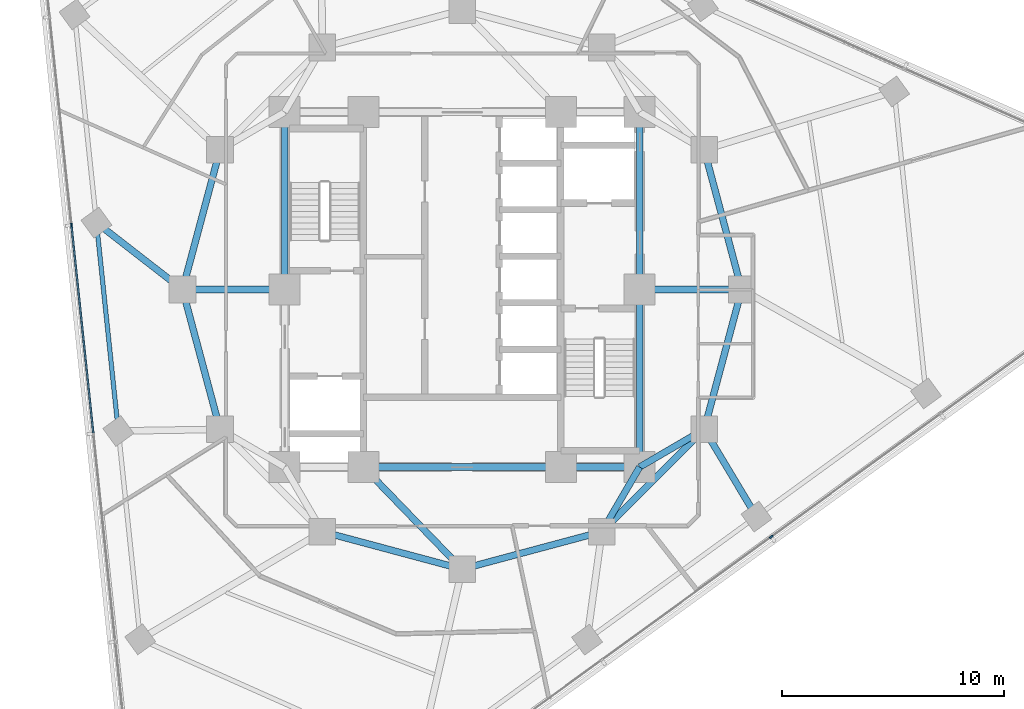
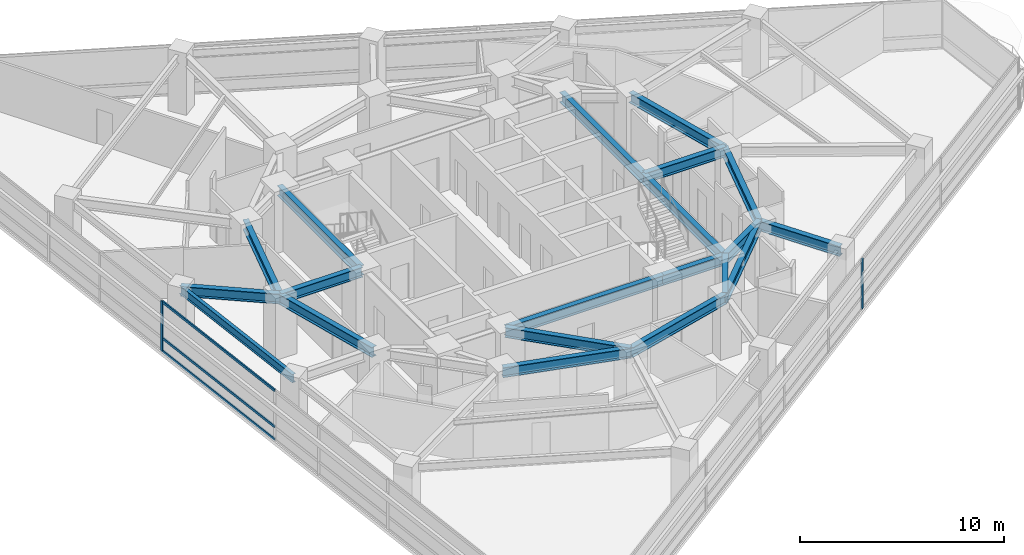
# One storey, part 3 of 14: 20 beams, 5 members, 2 elements without a shape of their own.
"""IFC4 building model written with IfcOpenShell, lengths in metres."""

import ifcopenshell
import ifcopenshell.guid

model = None  # the IFC model being written
_history = None  # IfcOwnerHistory: only IFC2X3 demands one
_inside = {}  # id of a spatial element -> (the spatial element, [elements in it])
_under = {}  # id of a project, library or spatial element -> (it, [spatial elements below it])
_declared = {}  # id of a project -> (the project, [libraries it declares])
_typed = {}  # id of a type object -> (the type object, [elements of that type])
_made_of = {}  # id of a material, layer set ... -> (it, [elements and type objects made of it])


def new_model(schema):
    """Start an empty IFC model of exactly this schema.

    Asked for "IFC4X3", IfcOpenShell would pick the latest addendum, in which some entities
    have other attributes; the version numbers below select the first issue.
    IFC2X3 requires an IfcOwnerHistory on every rooted entity: one is made here for all.
    """
    global model, _history
    if schema == "IFC4X3":
        model = ifcopenshell.file(schema_version=(4, 3, 0, 0))
    else:
        model = ifcopenshell.file(schema=schema)
    _inside.clear()
    _under.clear()
    _declared.clear()
    _typed.clear()
    _made_of.clear()
    _history = None
    if model.schema == "IFC2X3":
        org = make("IfcOrganization", Name="unknown")
        user = make(
            "IfcPersonAndOrganization",
            ThePerson=make("IfcPerson", FamilyName="unknown"),
            TheOrganization=org,
        )
        app = make(
            "IfcApplication",
            ApplicationDeveloper=org,
            Version="unknown",
            ApplicationFullName="unknown",
            ApplicationIdentifier="unknown",
        )
        _history = make(
            "IfcOwnerHistory",
            OwningUser=user,
            OwningApplication=app,
            ChangeAction="ADDED",
            CreationDate=0,
        )
    return model


def make(cls, **values):
    """One entity of the class cls with the attributes given. An attribute that is None is left unset."""
    return model.create_entity(
        cls, **{name: value for name, value in values.items() if value is not None}
    )


def rooted(cls, **values):
    """An entity with a GlobalId (a new one), such as an element, a storey or a relation."""
    return make(cls, GlobalId=ifcopenshell.guid.new(), OwnerHistory=_history, **values)


def si_unit(unit_type, name, prefix=None):
    """IfcSIUnit, for example si_unit("LENGTHUNIT", "METRE", prefix="MILLI")."""
    return make("IfcSIUnit", UnitType=unit_type, Prefix=prefix, Name=name)


def assignment(units):
    """IfcUnitAssignment: the units of a project."""
    return None if units is None else make("IfcUnitAssignment", Units=units)


def point(xyz):
    """IfcCartesianPoint."""
    return None if xyz is None else make("IfcCartesianPoint", Coordinates=xyz)


def direction(xyz):
    """IfcDirection."""
    return None if xyz is None else make("IfcDirection", DirectionRatios=xyz)


def frame(location, z_axis=None, x_axis=None):
    """IfcAxis2Placement3D, a coordinate frame: its origin and axes. An axis left out is left unset."""
    return make(
        "IfcAxis2Placement3D",
        Location=point(location),
        Axis=direction(z_axis),
        RefDirection=direction(x_axis),
    )


def frame_2d(location, x_axis=None):
    """IfcAxis2Placement2D, a coordinate frame in the plane: its origin and x axis."""
    return make(
        "IfcAxis2Placement2D", Location=point(location), RefDirection=direction(x_axis)
    )


def origin():
    """The frame at (0, 0, 0) with its axes left unset."""
    return frame((0.0, 0.0, 0.0))


def origin_2d():
    """The frame at (0, 0) in the plane with its x axis left unset."""
    return frame_2d((0.0, 0.0))


def place(relative_to, where):
    """IfcLocalPlacement: puts the frame where relative to a parent placement (None: the world)."""
    return make(
        "IfcLocalPlacement", PlacementRelTo=relative_to, RelativePlacement=where
    )


def context(
    kind, dimensions, precision=None, world=None, true_north=None, identifier=None
):
    """IfcGeometricRepresentationContext, for example the 3D "Model" context."""
    return make(
        "IfcGeometricRepresentationContext",
        ContextIdentifier=identifier,
        ContextType=kind,
        CoordinateSpaceDimension=dimensions,
        Precision=precision,
        WorldCoordinateSystem=world,
        TrueNorth=true_north,
    )


def subcontext(parent, identifier, kind, view, scale=None):
    """IfcGeometricRepresentationSubContext, for example "Body" below "Model"."""
    return make(
        "IfcGeometricRepresentationSubContext",
        ContextIdentifier=identifier,
        ContextType=kind,
        ParentContext=parent,
        TargetScale=scale,
        TargetView=view,
    )


def project(units=None, contexts=None):
    """IfcProject with its units and contexts."""
    return rooted(
        "IfcProject",
        Name="project",
        RepresentationContexts=contexts,
        UnitsInContext=assignment(units),
    )


def spatial(cls, under=None, at=None, **own):
    """A site, building, storey or space (cls), placed at a placement, below another one or the project."""
    s = rooted(cls, ObjectPlacement=at, **own)
    if under is not None:
        _under.setdefault(under.id(), (under, []))[1].append(s)
    return s


def profile(cls, at=None, kind="AREA", **sizes):
    """A parametric profile (cls). Its sizes go by their IFC names, for example OverallWidth=200.0."""
    return make(cls, ProfileType=kind, Position=at, **sizes)


def rectangle(**sizes):
    """IfcRectangleProfileDef."""
    return profile("IfcRectangleProfileDef", **sizes)


def i_section(**sizes):
    """IfcIShapeProfileDef."""
    return profile("IfcIShapeProfileDef", **sizes)


def extrude(swept, where, along, depth):
    """IfcExtrudedAreaSolid: the profile swept, set in the frame where, extruded along a direction by depth."""
    return make(
        "IfcExtrudedAreaSolid",
        SweptArea=swept,
        Position=where,
        ExtrudedDirection=direction(along),
        Depth=depth,
    )


def shape(context_of_items, identifier, shape_type, items):
    """IfcShapeRepresentation: the items that make up one representation, for example the "Body"."""
    return make(
        "IfcShapeRepresentation",
        ContextOfItems=context_of_items,
        RepresentationIdentifier=identifier,
        RepresentationType=shape_type,
        Items=items,
    )


def material(Name=None, Category=None):
    """IfcMaterial."""
    return make("IfcMaterial", Name=Name, Category=Category)


def layer(
    of_material, thickness, ventilated=None, Name=None, Category=None, Priority=None
):
    """IfcMaterialLayer: one layer of a wall or slab, of a material (None: an air gap)."""
    return make(
        "IfcMaterialLayer",
        Material=of_material,
        LayerThickness=thickness,
        IsVentilated=ventilated,
        Name=Name,
        Category=Category,
        Priority=Priority,
    )


def layer_set(layers, Name=None):
    """IfcMaterialLayerSet."""
    return make("IfcMaterialLayerSet", MaterialLayers=layers, LayerSetName=Name)


def material_profile(
    of_material, cross_section, Name=None, Category=None, Priority=None
):
    """IfcMaterialProfile: a cross section and its material."""
    return make(
        "IfcMaterialProfile",
        Name=Name,
        Material=of_material,
        Profile=cross_section,
        Priority=Priority,
        Category=Category,
    )


def profile_set(profiles, Name=None, composite=None):
    """IfcMaterialProfileSet."""
    return make(
        "IfcMaterialProfileSet",
        Name=Name,
        MaterialProfiles=profiles,
        CompositeProfile=composite,
    )


def made_of(thing, what):
    """Note that an element or type object is made of a material, layer set ...; save() writes the relation."""
    if what is not None:
        _made_of.setdefault(what.id(), (what, []))[1].append(thing)
    return thing


def type_object(cls, material=None, **own):
    """A type object (cls), such as IfcWallType, which elements share."""
    return made_of(rooted(cls, **own), material)


def element(
    cls,
    number,
    at=None,
    inside=None,
    cuts=None,
    type_object=None,
    material=None,
    context=None,
    identifier="Body",
    shape_type=None,
    held_by="IfcProductDefinitionShape",
    body=None,
    shapes=None,
    **own,
):
    """One element of the class cls, such as IfcWall. Its Tag is "e" and its number.

    at: its placement. inside: the storey or other place that contains it. cuts: it is an
    opening in that element (IfcRelVoidsElement). A single representation is given by context,
    identifier, shape_type and body (its items); several are given by shapes. held_by: the class
    of the entity that holds the representations. save() writes the other relations.
    """
    e = rooted(cls, Tag="e%d" % number, ObjectPlacement=at, **own)
    if body is not None:
        shapes = [shape(context, identifier, shape_type, body)]
    if shapes is not None:
        e.Representation = make(held_by, Representations=shapes)
    if inside is not None:
        _inside.setdefault(inside.id(), (inside, []))[1].append(e)
    if cuts is not None:
        rooted(
            "IfcRelVoidsElement", RelatingBuildingElement=cuts, RelatedOpeningElement=e
        )
    if type_object is not None:
        _typed.setdefault(type_object.id(), (type_object, []))[1].append(e)
    return made_of(e, material)


def aggregate(whole, parts):
    """IfcRelAggregates: a whole, such as a stair, and the parts it consists of."""
    return rooted("IfcRelAggregates", RelatingObject=whole, RelatedObjects=parts)


def save(model, path):
    """Write the relations noted so far, then the file.

    IfcRelAggregates (storeys below a building ...), IfcRelContainedInSpatialStructure (elements
    in a storey), IfcRelDefinesByType, IfcRelAssociatesMaterial and IfcRelDeclares: one each for
    every whole, place, type object, material and project.
    """
    for whole, parts in _under.values():
        aggregate(whole, parts)
    for where, things in _inside.values():
        rooted(
            "IfcRelContainedInSpatialStructure",
            RelatedElements=things,
            RelatingStructure=where,
        )
    for kind, things in _typed.values():
        rooted("IfcRelDefinesByType", RelatedObjects=things, RelatingType=kind)
    for what, things in _made_of.values():
        rooted("IfcRelAssociatesMaterial", RelatedObjects=things, RelatingMaterial=what)
    for by, libraries in _declared.values():
        rooted("IfcRelDeclares", RelatingContext=by, RelatedDefinitions=libraries)
    model.write(path)


model = new_model("IFC4")

# Units and contexts
model_context = context("Model", 3, precision=1e-05, world=origin(), true_north=direction((0.0, 1.0)))
body_context = subcontext(model_context, "Body", "Model", "MODEL_VIEW")
ifc_project = project(units=[si_unit("LENGTHUNIT", "METRE"), si_unit("AREAUNIT", "SQUARE_METRE"), si_unit("VOLUMEUNIT", "CUBIC_METRE"), si_unit("PLANEANGLEUNIT", "RADIAN"), si_unit("MASSUNIT", "GRAM", prefix="KILO")], contexts=[model_context])

# Site, building, storey
site_placement = place(None, origin())
site = spatial("IfcSite", under=ifc_project, at=site_placement, CompositionType="ELEMENT")
building_placement = place(site_placement, origin())
building = spatial("IfcBuilding", under=site, at=building_placement, Name="Terralouvre Media Tower", CompositionType="ELEMENT")
storey_placement = place(building_placement, frame((0.0, 0.0, 154.60009765625)))
storey = spatial("IfcBuildingStorey", under=building, at=storey_placement, Name="L39", CompositionType="ELEMENT", Elevation=154.60009765625)

# Curtain wall, members
ifc_material_1 = material(Name="Low-iron laminated double glazing with solar-control coating", Category="glass")
ifc_layer = layer(ifc_material_1, 0.1650390625, Name="Production Studio Tower Curtain Wall CW-03")
ifc_layer_set = layer_set([ifc_layer], Name="Low-iron laminated double glazing with solar-control coating")
curtain_wall_type = type_object("IfcCurtainWallType", Name="Production Studio Tower Curtain Wall CW-03", PredefinedType="NOTDEFINED", material=ifc_layer_set)
curtain_wall_1_placement = place(storey_placement, origin())
curtain_wall_1 = element("IfcCurtainWall", 1, at=curtain_wall_1_placement, inside=storey, type_object=curtain_wall_type, Name="L39 Facade Curtain Wall F2", PredefinedType="NOTDEFINED")
ifc_material_2 = material(Name="Anodised extruded aluminium 6063-T6", Category="aluminium")
ifc_material_profile_1 = material_profile(ifc_material_2, rectangle(XDim=0.074951171875, YDim=0.14990234375, at=origin_2d()), Name="ALU 75x150")
ifc_profile_set_1 = profile_set([ifc_material_profile_1], Name="Anodised extruded aluminium 6063-T6")
member_type_1 = type_object("IfcMemberType", Name="Curtain-Wall Horizontal Transom TR-150", PredefinedType="USERDEFINED", material=ifc_profile_set_1)
member_1_placement = place(storey_placement, frame((-17.6005859375, 2.8583984375, 0.037353515625), z_axis=(0.104512438861, -0.994523579471, 0.0), x_axis=(0.994523579471, 0.104512438861, 0.0)))
member_1 = element("IfcMember", 2, at=member_1_placement, type_object=member_type_1, Name="CW-03 transom 3.1", ObjectType="TRANSOM", PredefinedType="USERDEFINED", context=body_context, shape_type="SweptSolid", body=[
    extrude(rectangle(XDim=0.074951171875, YDim=0.14990234375, at=origin_2d()), origin(), (0.0, 0.0, 1.0), 9.364990234375),
])
member_2_placement = place(storey_placement, frame((-17.6005859375, 2.8583984375, 0.7998046875), z_axis=(0.104512438861, -0.994523579471, 0.0), x_axis=(0.994523579471, 0.104512438861, 0.0)))
member_2 = element("IfcMember", 3, at=member_2_placement, type_object=member_type_1, Name="CW-03 transom 3.2", ObjectType="TRANSOM", PredefinedType="USERDEFINED", context=body_context, shape_type="SweptSolid", body=[
    extrude(rectangle(XDim=0.074951171875, YDim=0.14990234375, at=origin_2d()), origin(), (0.0, 0.0, 1.0), 9.364990234375),
])
member_3_placement = place(storey_placement, frame((-17.6005859375, 2.8583984375, 2.96240234375), z_axis=(0.104512438861, -0.994523579471, 0.0), x_axis=(0.994523579471, 0.104512438861, 0.0)))
member_3 = element("IfcMember", 4, at=member_3_placement, type_object=member_type_1, Name="CW-03 transom 3.3", ObjectType="TRANSOM", PredefinedType="USERDEFINED", context=body_context, shape_type="SweptSolid", body=[
    extrude(rectangle(XDim=0.074951171875, YDim=0.14990234375, at=origin_2d()), origin(), (0.0, 0.0, 1.0), 9.364990234375),
])

# Curtain wall, member
curtain_wall_2_placement = place(storey_placement, origin())
curtain_wall_2 = element("IfcCurtainWall", 5, at=curtain_wall_2_placement, inside=storey, type_object=curtain_wall_type, Name="L39 Facade Curtain Wall F0", PredefinedType="NOTDEFINED")
ifc_material_3 = material(Name="Anodised extruded aluminium 6063-T6", Category="aluminium")
ifc_material_profile_2 = material_profile(ifc_material_3, rectangle(XDim=0.074951171875, YDim=0.179931640625, at=origin_2d()), Name="ALU 75x180")
ifc_profile_set_2 = profile_set([ifc_material_profile_2], Name="Anodised extruded aluminium 6063-T6")
member_type_2 = type_object("IfcMemberType", Name="Curtain-Wall Vertical Mullion ML-180", PredefinedType="MULLION", material=ifc_profile_set_2)
member_4_placement = place(storey_placement, frame((13.931640625, -11.145263671875, 0.0), z_axis=(0.0, 0.0, 1.0), x_axis=(-0.587785358263, 0.809016917383, 0.0)))
member_4 = element("IfcMember", 6, at=member_4_placement, type_object=member_type_2, Name="CW-03 mullion 4", PredefinedType="MULLION", context=body_context, shape_type="SweptSolid", body=[
    extrude(rectangle(XDim=0.074951171875, YDim=0.179931640625, at=origin_2d()), origin(), (0.0, 0.0, 1.0), 3.0),
])
aggregate(curtain_wall_2, [member_4])

# Member
member_5_placement = place(storey_placement, frame((-17.6044921875, 2.895751953125, 0.0), z_axis=(0.0, 0.0, 1.0), x_axis=(0.994521904516, 0.104528376236, 0.0)))
member_5 = element("IfcMember", 7, at=member_5_placement, type_object=member_type_2, Name="CW-03 mullion 3", PredefinedType="MULLION", context=body_context, shape_type="SweptSolid", body=[
    extrude(rectangle(XDim=0.074951171875, YDim=0.179931640625, at=origin_2d()), origin(), (0.0, 0.0, 1.0), 3.0),
])

aggregate(curtain_wall_1, [member_5, member_1, member_2, member_3])

# Beams
ifc_material_4 = material(Name="Structural steel S355J2", Category="steel")
ifc_material_profile_3 = material_profile(ifc_material_4, i_section(OverallWidth=0.199951171875, OverallDepth=0.5, WebThickness=0.01025390625, FlangeThickness=0.01611328125, at=origin_2d()), Name="IPE 500")
ifc_profile_set_3 = profile_set([ifc_material_profile_3], Name="Structural steel S355J2")
beam_type_1 = type_object("IfcBeamType", Name="Perimeter Spandrel Beam SPB-500 (IPE 500)", PredefinedType="SPANDREL", material=ifc_profile_set_3)
beam_1_placement = place(storey_placement, frame((-16.480712890625, 3.013916015625, 3.25), z_axis=(0.104508425148, -0.994524001255, 0.0), x_axis=(0.994524001255, 0.104508425148, 0.0)))
element("IfcBeam", 8, at=beam_1_placement, inside=storey, type_object=beam_type_1, Name="L39 Framing Beam BM-L39-PR12", PredefinedType="SPANDREL", context=body_context, shape_type="SweptSolid", body=[
    extrude(i_section(OverallWidth=0.199951171875, OverallDepth=0.5, WebThickness=0.01025390625, FlangeThickness=0.01611328125, at=origin_2d()), origin(), (0.0, 0.0, 1.0), 9.440185546875),
])
ifc_material_5 = material(Name="Structural steel S460M", Category="steel")
ifc_material_profile_4 = material_profile(ifc_material_5, i_section(OverallWidth=0.300048828125, OverallDepth=0.60009765625, WebThickness=0.015380859375, FlangeThickness=0.030029296875, at=origin_2d()), Name="HEB 600")
ifc_profile_set_4 = profile_set([ifc_material_profile_4], Name="Structural steel S460M")
beam_type_2 = type_object("IfcBeamType", Name="Primary Floor Girder B-HEB600 (HEB 600)", PredefinedType="BEAM", material=ifc_profile_set_4)
beam_2_placement = place(storey_placement, frame((-4.449951171875, -8.0, 3.199951171875), z_axis=(1.0, 0.0, 0.0), x_axis=(0.0, 1.0, 0.0)))
element("IfcBeam", 9, at=beam_2_placement, inside=storey, type_object=beam_type_2, Name="L39 Framing Beam BM-L39-CPR02", PredefinedType="BEAM", context=body_context, shape_type="SweptSolid", body=[
    extrude(i_section(OverallWidth=0.300048828125, OverallDepth=0.60009765625, WebThickness=0.015380859375, FlangeThickness=0.030029296875, at=origin_2d()), origin(), (0.0, 0.0, 1.0), 8.89990234375),
])
beam_3_placement = place(storey_placement, frame((4.449951171875, -8.0, 3.199951171875), z_axis=(1.0, 0.0, 0.0), x_axis=(0.0, 1.0, 0.0)))
element("IfcBeam", 10, at=beam_3_placement, inside=storey, type_object=beam_type_2, Name="L39 Framing Beam BM-L39-CPR03", PredefinedType="BEAM", context=body_context, shape_type="SweptSolid", body=[
    extrude(i_section(OverallWidth=0.300048828125, OverallDepth=0.60009765625, WebThickness=0.015380859375, FlangeThickness=0.030029296875, at=origin_2d()), origin(), (0.0, 0.0, 1.0), 3.550048828125),
])
for number, where, z_axis, x_axis, name in (
    (11, (8.0, -8.0, 3.199951171875), (0.0, 1.0, 0.0), (-1.0, 0.0, 0.0), "L39 Framing Beam BM-L39-CPR04"),
    (12, (8.0, 0.0, 3.199951171875), (0.0, 1.0, 0.0), (-1.0, 0.0, 0.0), "L39 Framing Beam BM-L39-CPR05"),
    (13, (-8.0, 8.0, 3.199951171875), (0.0, -1.0, 0.0), (1.0, 0.0, 0.0), "L39 Framing Beam BM-L39-CPR09"),
):
    element("IfcBeam", number, at=place(storey_placement, frame(where, z_axis=z_axis, x_axis=x_axis)), inside=storey, type_object=beam_type_2, Name=name, PredefinedType="BEAM", context=body_context, shape_type="SweptSolid", body=[
        extrude(i_section(OverallWidth=0.300048828125, OverallDepth=0.60009765625, WebThickness=0.015380859375, FlangeThickness=0.030029296875, at=origin_2d()), origin(), (0.0, 0.0, 1.0), 8.0),
    ])
for number, where, z_axis, x_axis, name in (
    (14, (-6.300048828125, -10.911865234375, 3.199951171875), (0.965920481897, -0.258838989821, 0.0), (0.258838989821, 0.965920481897, 0.0), "L39 Framing Beam BM-L39-MR02"),
    (15, (0.0, -12.60009765625, 3.199951171875), (0.965920481897, 0.258838989821, 0.0), (-0.258838989821, 0.965920481897, 0.0), "L39 Framing Beam BM-L39-MR03"),
):
    element("IfcBeam", number, at=place(storey_placement, frame(where, z_axis=z_axis, x_axis=x_axis)), inside=storey, type_object=beam_type_2, Name=name, PredefinedType="BEAM", context=body_context, shape_type="SweptSolid", body=[
        extrude(i_section(OverallWidth=0.300048828125, OverallDepth=0.60009765625, WebThickness=0.015380859375, FlangeThickness=0.030029296875, at=origin_2d()), origin(), (0.0, 0.0, 1.0), 6.522216796875),
    ])
beam_4_placement = place(storey_placement, frame((6.300048828125, -10.911865234375, 3.199951171875), z_axis=(0.707106781187, 0.707106781187, 0.0), x_axis=(-0.707106781187, 0.707106781187, 0.0)))
element("IfcBeam", 16, at=beam_4_placement, inside=storey, type_object=beam_type_2, Name="L39 Framing Beam BM-L39-MR04", PredefinedType="BEAM", context=body_context, shape_type="SweptSolid", body=[
    extrude(i_section(OverallWidth=0.300048828125, OverallDepth=0.60009765625, WebThickness=0.015380859375, FlangeThickness=0.030029296875, at=origin_2d()), origin(), (0.0, 0.0, 1.0), 6.52197265625),
])
for number, where, z_axis, x_axis, name in (
    (17, (10.911865234375, -6.300048828125, 3.199951171875), (0.258838989821, 0.965920481897, 0.0), (-0.965920481897, 0.258838989821, 0.0), "L39 Framing Beam BM-L39-MR05"),
    (18, (12.60009765625, 0.0, 3.199951171875), (-0.258838989821, 0.965920481897, 0.0), (-0.965920481897, -0.258838989821, 0.0), "L39 Framing Beam BM-L39-MR06"),
    (19, (-10.911865234375, 6.300048828125, 3.199951171875), (-0.258838989821, -0.965920481897, 0.0), (0.965920481897, -0.258838989821, 0.0), "L39 Framing Beam BM-L39-MR11"),
    (20, (-12.60009765625, 0.0, 3.199951171875), (0.258838989821, -0.965920481897, 0.0), (0.965920481897, 0.258838989821, 0.0), "L39 Framing Beam BM-L39-MR12"),
):
    element("IfcBeam", number, at=place(storey_placement, frame(where, z_axis=z_axis, x_axis=x_axis)), inside=storey, type_object=beam_type_2, Name=name, PredefinedType="BEAM", context=body_context, shape_type="SweptSolid", body=[
        extrude(i_section(OverallWidth=0.300048828125, OverallDepth=0.60009765625, WebThickness=0.015380859375, FlangeThickness=0.030029296875, at=origin_2d()), origin(), (0.0, 0.0, 1.0), 6.522216796875),
    ])
beam_5_placement = place(storey_placement, frame((-4.449951171875, -8.0, 3.199951171875), z_axis=(0.695279715726, -0.718739255155, 0.0), x_axis=(0.718739255155, 0.695279715726, 0.0)))
element("IfcBeam", 21, at=beam_5_placement, inside=storey, type_object=beam_type_2, Name="L39 Framing Beam BM-L39-CM03", PredefinedType="BEAM", context=body_context, shape_type="SweptSolid", body=[
    extrude(i_section(OverallWidth=0.300048828125, OverallDepth=0.60009765625, WebThickness=0.015380859375, FlangeThickness=0.030029296875, at=origin_2d()), origin(), (0.0, 0.0, 1.0), 6.400146484375),
])
for number, where, z_axis, x_axis, name in (
    (22, (8.0, -8.0, 3.199951171875), (-0.504172629717, -0.863602894532, 0.0), (0.863602894532, -0.504172629717, 0.0), "L39 Framing Beam BM-L39-CM04"),
    (23, (8.0, -8.0, 3.199951171875), (0.863602894532, 0.504172629717, 0.0), (-0.504172629717, 0.863602894532, 0.0), "L39 Framing Beam BM-L39-CM05"),
):
    element("IfcBeam", number, at=place(storey_placement, frame(where, z_axis=z_axis, x_axis=x_axis)), inside=storey, type_object=beam_type_2, Name=name, PredefinedType="BEAM", context=body_context, shape_type="SweptSolid", body=[
        extrude(i_section(OverallWidth=0.300048828125, OverallDepth=0.60009765625, WebThickness=0.015380859375, FlangeThickness=0.030029296875, at=origin_2d()), origin(), (0.0, 0.0, 1.0), 3.371826171875),
    ])
for number, where, z_axis, x_axis, name in (
    (24, (8.0, 0.0, 3.199951171875), (1.0, 0.0, 0.0), (0.0, 1.0, 0.0), "L39 Framing Beam BM-L39-CM06"),
    (25, (-8.0, 0.0, 3.199951171875), (-1.0, 0.0, 0.0), (0.0, -1.0, 0.0), "L39 Framing Beam BM-L39-CM12"),
):
    element("IfcBeam", number, at=place(storey_placement, frame(where, z_axis=z_axis, x_axis=x_axis)), inside=storey, type_object=beam_type_2, Name=name, PredefinedType="BEAM", context=body_context, shape_type="SweptSolid", body=[
        extrude(i_section(OverallWidth=0.300048828125, OverallDepth=0.60009765625, WebThickness=0.015380859375, FlangeThickness=0.030029296875, at=origin_2d()), origin(), (0.0, 0.0, 1.0), 4.60009765625),
    ])
beam_6_placement = place(storey_placement, frame((10.911865234375, -6.300048828125, 3.18994140625), z_axis=(0.514041286901, -0.857765443091, 0.0), x_axis=(0.857765443091, 0.514041286901, 0.0)))
element("IfcBeam", 26, at=beam_6_placement, inside=storey, type_object=beam_type_2, Name="L39 Framing Beam BM-L39-RD05", PredefinedType="BEAM", context=body_context, shape_type="SweptSolid", body=[
    extrude(i_section(OverallWidth=0.300048828125, OverallDepth=0.60009765625, WebThickness=0.015380859375, FlangeThickness=0.030029296875, at=origin_2d()), origin(), (0.0, 0.0, 1.0), 4.582763671875),
])
beam_7_placement = place(storey_placement, frame((-12.60009765625, 0.0, 3.199951171875), z_axis=(-0.78978010095, 0.613390081549, 0.0), x_axis=(-0.613390081549, -0.78978010095, 0.0)))
element("IfcBeam", 27, at=beam_7_placement, inside=storey, type_object=beam_type_2, Name="L39 Framing Beam BM-L39-RD12", PredefinedType="BEAM", context=body_context, shape_type="SweptSolid", body=[
    extrude(i_section(OverallWidth=0.300048828125, OverallDepth=0.60009765625, WebThickness=0.015380859375, FlangeThickness=0.030029296875, at=origin_2d()), origin(), (0.0, 0.0, 1.0), 4.91357421875),
])

save(model, "model.ifc")
